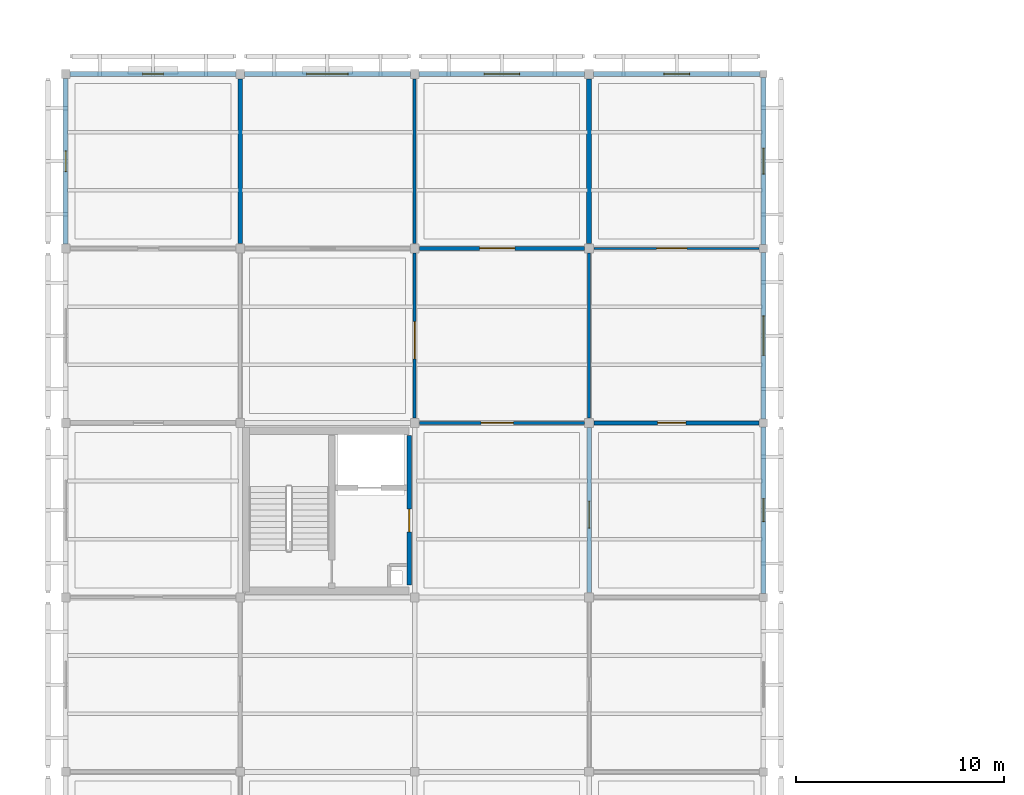
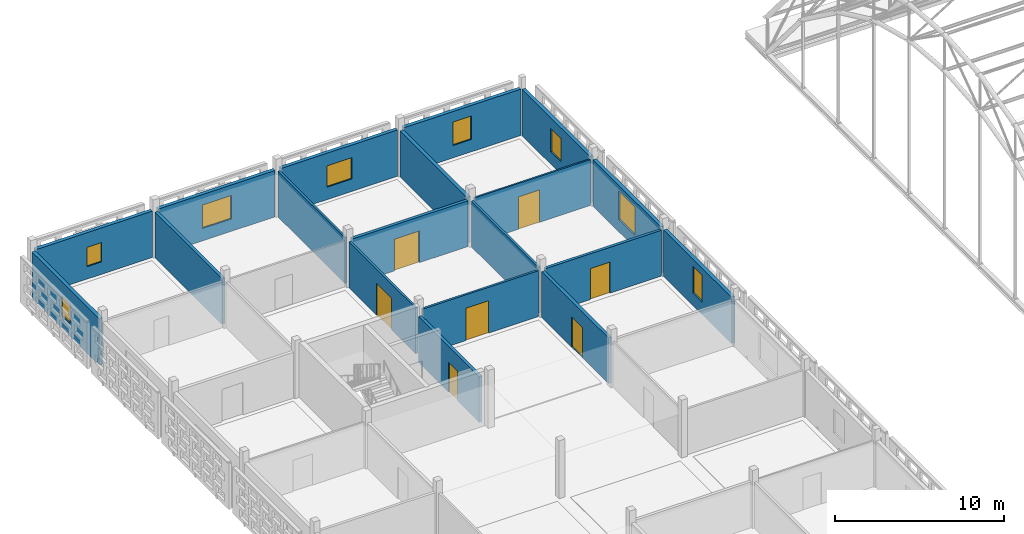
# One storey, part 73 of 103: 19 walls, 8 windows, 7 doors, 15 openings.
"""IFC4 building model written with IfcOpenShell, lengths in metres."""

from ifc_helpers import new_model, si_unit, direction, frame, frame_2d, origin, place, context, subcontext, project, spatial, rectangle, extrude, material, layer, layer_set, type_object, element, fill, save


model = new_model("IFC4")

# Units and contexts
model_context = context("Model", 3, precision=1e-05, world=origin(), true_north=direction((0.0, 1.0)))
body_context = subcontext(model_context, "Body", "Model", "MODEL_VIEW")
ifc_project = project(units=[si_unit("LENGTHUNIT", "METRE"), si_unit("AREAUNIT", "SQUARE_METRE"), si_unit("VOLUMEUNIT", "CUBIC_METRE"), si_unit("PLANEANGLEUNIT", "RADIAN"), si_unit("MASSUNIT", "GRAM", prefix="KILO")], contexts=[model_context])

# Site, building, storey
site_placement = place(None, origin())
site = spatial("IfcSite", under=ifc_project, at=site_placement, CompositionType="ELEMENT")
building_placement = place(site_placement, origin())
building = spatial("IfcBuilding", under=site, at=building_placement, Name="Varnapada Polytechnic", CompositionType="ELEMENT")
storey_placement = place(building_placement, frame((0.0, 0.0, 18.0)))
storey = spatial("IfcBuildingStorey", under=building, at=storey_placement, Name="L04", CompositionType="ELEMENT", Elevation=18.0)

# Wall, opening, door
ifc_material_1 = material(Name="Autoclaved Aerated Concrete Block AAC-600", Category="concrete")
ifc_layer_1 = layer(ifc_material_1, 0.199951171875)
ifc_layer_set_1 = layer_set([ifc_layer_1], Name="Autoclaved Aerated Concrete Block AAC-600")
wall_type_1 = type_object("IfcWallType", Name="Interior Wall IW-01", PredefinedType="PARTITIONING", material=ifc_layer_set_1)
wall_1_placement = place(storey_placement, frame((16.5400390625, 108.60009765625, 0.0), z_axis=(0.0, 0.0, 1.0), x_axis=(0.0, -1.0, 0.0)))
wall_1 = element("IfcWall", 1, at=wall_1_placement, inside=storey, type_object=wall_type_1, Name="L04 C1 firefighting lobby east wall", PredefinedType="PARTITIONING", context=body_context, shape_type="SweptSolid", body=[
    extrude(rectangle(XDim=7.2001953125, YDim=0.199951171875, at=frame_2d((3.60009765625, 0.0))), origin(), (0.0, 0.0, 1.0), 3.320068359375),
])
opening_1_placement = place(wall_1_placement, frame((3.550048828125, 0.0, 0.0)))
opening_1 = element("IfcOpeningElement", 2, at=opening_1_placement, cuts=wall_1, Name="Opening D-1261", PredefinedType="OPENING", context=body_context, shape_type="SweptSolid", body=[
    extrude(rectangle(XDim=1.10009765625, YDim=2.14990234375, at=frame_2d((0.550048828125, 1.074951171875))), frame((0.0, 0.10986328125, 0.0), z_axis=(0.0, -1.0, 0.0), x_axis=(1.0, 0.0, 0.0)), (0.0, 0.0, 1.0), 0.219970703125),
])
ifc_material_2 = material(Name="Galvanized Steel Z275", Category="steel")
door_type_1 = type_object("IfcDoorType", Name="Interior Door ID-01", OperationType="NOTDEFINED", PredefinedType="DOOR", material=ifc_material_2)
door_1_placement = place(opening_1_placement, frame((1.10009765625, 0.0, 0.0), z_axis=(0.0, 0.0, 1.0), x_axis=(-1.0, 0.0, 0.0)))
door_1 = element("IfcDoor", 3, at=door_1_placement, inside=storey, type_object=door_type_1, Name="L04 C1 lobby fire door D-1261", OperationType="SINGLE_SWING_LEFT", OverallHeight=2.14990234375, OverallWidth=1.10009765625, PredefinedType="DOOR", context=body_context, shape_type="SweptSolid", body=[
    extrude(rectangle(XDim=1.10009765625, YDim=2.14990234375, at=frame_2d((0.550048828125, 1.074951171875))), frame((0.0, 0.02490234375, 0.0), z_axis=(0.0, -1.0, 0.0), x_axis=(1.0, 0.0, 0.0)), (0.0, 0.0, 1.0), 0.050048828125),
])
fill(opening_1, door_1)

ifc_layer_2 = layer(ifc_material_1, 0.14990234375)
ifc_layer_set_2 = layer_set([ifc_layer_2], Name="Autoclaved Aerated Concrete Block AAC-600")
wall_type_2 = type_object("IfcWallType", Name="Interior Wall IW-02", PredefinedType="PARTITIONING", material=ifc_layer_set_2)
wall_2_placement = place(storey_placement, frame((16.800048828125, 109.429931640625, 0.0), z_axis=(0.0, 0.0, 1.0), x_axis=(0.0, 1.0, 0.0)))
wall_2 = element("IfcWall", 4, at=wall_2_placement, inside=storey, type_object=wall_type_2, Name="L04 interior partition IW-L04-01-13-V", PredefinedType="PARTITIONING", context=body_context, shape_type="SweptSolid", body=[
    extrude(rectangle(XDim=7.940185546875, YDim=0.14990234375, at=frame_2d((3.97021484375, 0.0))), origin(), (0.0, 0.0, 1.0), 3.320068359375),
])
opening_2_placement = place(wall_2_placement, frame((2.85009765625, 0.0, 0.0)))
opening_2 = element("IfcOpeningElement", 5, at=opening_2_placement, cuts=wall_2, Name="Opening D-1277", PredefinedType="OPENING", context=body_context, shape_type="SweptSolid", body=[
    extrude(rectangle(XDim=1.800048828125, YDim=2.300048828125, at=frame_2d((0.89990234375, 1.14990234375))), frame((0.0, 0.0849609375, 0.0), z_axis=(0.0, -1.0, 0.0), x_axis=(1.0, 0.0, 0.0)), (0.0, 0.0, 1.0), 0.169921875),
])
ifc_material_3 = material(Name="Acoustic Double Timber Leaf", Category="wood")
door_type_2 = type_object("IfcDoorType", Name="Interior Door ID-04", OperationType="NOTDEFINED", PredefinedType="DOOR", material=ifc_material_3)
door_2_placement = place(opening_2_placement, frame((1.800048828125, 0.0, 0.0), z_axis=(0.0, 0.0, 1.0), x_axis=(-1.0, 0.0, 0.0)))
door_2 = element("IfcDoor", 6, at=door_2_placement, inside=storey, type_object=door_type_2, Name="L04 interior room door D-1277", OperationType="SINGLE_SWING_RIGHT", OverallHeight=2.300048828125, OverallWidth=1.800048828125, PredefinedType="DOOR", context=body_context, shape_type="SweptSolid", body=[
    extrude(rectangle(XDim=1.800048828125, YDim=2.300048828125, at=frame_2d((0.89990234375, 1.14990234375))), frame((0.0, 0.02490234375, 0.0), z_axis=(0.0, -1.0, 0.0), x_axis=(1.0, 0.0, 0.0)), (0.0, 0.0, 1.0), 0.050048828125),
])
fill(opening_2, door_2)

# Wall
ifc_material_4 = material(Name="Moisture-Resistant Cement Board Partition")
ifc_layer_3 = layer(ifc_material_4, 0.139892578125)
ifc_layer_set_3 = layer_set([ifc_layer_3], Name="Moisture-Resistant Cement Board Partition")
wall_type_3 = type_object("IfcWallType", Name="Interior Wall IW-04", PredefinedType="PARTITIONING", material=ifc_layer_set_3)
wall_3_placement = place(storey_placement, frame((16.800048828125, 117.830078125, 0.0), z_axis=(0.0, 0.0, 1.0), x_axis=(0.0, 1.0, 0.0)))
element("IfcWall", 7, at=wall_3_placement, inside=storey, type_object=wall_type_3, Name="L04 interior partition IW-L04-01-14-V", PredefinedType="PARTITIONING", context=body_context, shape_type="SweptSolid", body=[
    extrude(rectangle(XDim=7.93994140625, YDim=0.139892578125, at=frame_2d((3.969970703125, 0.0))), origin(), (0.0, 0.0, 1.0), 3.320068359375),
])

# Wall, opening, door
ifc_material_5 = material(Name="Insulated Masonry Plant Room Wall", Category="masonry")
ifc_layer_4 = layer(ifc_material_5, 0.18994140625)
ifc_layer_set_4 = layer_set([ifc_layer_4], Name="Insulated Masonry Plant Room Wall")
wall_type_4 = type_object("IfcWallType", Name="Interior Wall IW-11", PredefinedType="PARTITIONING", material=ifc_layer_set_4)
wall_4_placement = place(storey_placement, frame((25.429931640625, 109.199951171875, 0.0), z_axis=(0.0, 0.0, 1.0), x_axis=(1.0, 0.0, 0.0)))
wall_4 = element("IfcWall", 8, at=wall_4_placement, inside=storey, type_object=wall_type_4, Name="L04 interior partition IW-L04-03-12-H", PredefinedType="PARTITIONING", context=body_context, shape_type="SweptSolid", body=[
    extrude(rectangle(XDim=7.9599609375, YDim=0.18994140625, at=frame_2d((3.97998046875, 0.0))), origin(), (0.0, 0.0, 1.0), 3.320068359375),
])
opening_3_placement = place(wall_4_placement, frame((3.074951171875, 0.0, 0.0)))
opening_3 = element("IfcOpeningElement", 9, at=opening_3_placement, cuts=wall_4, Name="Opening D-1290", PredefinedType="OPENING", context=body_context, shape_type="SweptSolid", body=[
    extrude(rectangle(XDim=1.35009765625, YDim=2.25, at=frame_2d((0.675048828125, 1.125))), frame((0.0, 0.10498046875, 0.0), z_axis=(0.0, -1.0, 0.0), x_axis=(1.0, 0.0, 0.0)), (0.0, 0.0, 1.0), 0.2099609375),
])
ifc_material_6 = material(Name="Powder-Coated Aluminium 6063-T6", Category="aluminium")
door_type_3 = type_object("IfcDoorType", Name="Interior Door ID-17", OperationType="NOTDEFINED", PredefinedType="DOOR", material=ifc_material_6)
door_3_placement = place(opening_3_placement, origin())
door_3 = element("IfcDoor", 10, at=door_3_placement, inside=storey, type_object=door_type_3, Name="L04 interior room door D-1290", OperationType="SINGLE_SWING_LEFT", OverallHeight=2.25, OverallWidth=1.35009765625, PredefinedType="DOOR", context=body_context, shape_type="SweptSolid", body=[
    extrude(rectangle(XDim=1.35009765625, YDim=2.25, at=frame_2d((0.675048828125, 1.125))), frame((0.0, 0.02490234375, 0.0), z_axis=(0.0, -1.0, 0.0), x_axis=(1.0, 0.0, 0.0)), (0.0, 0.0, 1.0), 0.050048828125),
])
fill(opening_3, door_3)

ifc_material_7 = material(Name="Timber-Stud Studio Critique Partition", Category="wood")
ifc_layer_5 = layer(ifc_material_7, 0.114990234375)
ifc_layer_set_5 = layer_set([ifc_layer_5], Name="Timber-Stud Studio Critique Partition")
wall_type_5 = type_object("IfcWallType", Name="Interior Wall IW-12", PredefinedType="PARTITIONING", material=ifc_layer_set_5)
wall_5_placement = place(storey_placement, frame((25.429931640625, 117.60009765625, 0.0), z_axis=(0.0, 0.0, 1.0), x_axis=(1.0, 0.0, 0.0)))
wall_5 = element("IfcWall", 11, at=wall_5_placement, inside=storey, type_object=wall_type_5, Name="L04 interior partition IW-L04-03-13-H", PredefinedType="PARTITIONING", context=body_context, shape_type="SweptSolid", body=[
    extrude(rectangle(XDim=7.9599609375, YDim=0.114990234375, at=frame_2d((3.97998046875, 0.0))), origin(), (0.0, 0.0, 1.0), 3.320068359375),
])
opening_4_placement = place(wall_5_placement, frame((3.02490234375, 0.0, 0.0)))
opening_4 = element("IfcOpeningElement", 12, at=opening_4_placement, cuts=wall_5, Name="Opening D-1291", PredefinedType="OPENING", context=body_context, shape_type="SweptSolid", body=[
    extrude(rectangle(XDim=1.449951171875, YDim=2.35009765625, at=frame_2d((0.72509765625, 1.175048828125))), frame((0.0, 0.0673828125, 0.0), z_axis=(0.0, -1.0, 0.0), x_axis=(1.0, 0.0, 0.0)), (0.0, 0.0, 1.0), 0.135009765625),
])
door_type_4 = type_object("IfcDoorType", Name="Interior Door ID-18", OperationType="NOTDEFINED", PredefinedType="DOOR", material=ifc_material_2)
door_4_placement = place(opening_4_placement, origin())
door_4 = element("IfcDoor", 13, at=door_4_placement, inside=storey, type_object=door_type_4, Name="L04 interior room door D-1291", OperationType="SINGLE_SWING_RIGHT", OverallHeight=2.35009765625, OverallWidth=1.449951171875, PredefinedType="DOOR", context=body_context, shape_type="SweptSolid", body=[
    extrude(rectangle(XDim=1.449951171875, YDim=2.35009765625, at=frame_2d((0.72509765625, 1.175048828125))), frame((0.0, 0.02490234375, 0.0), z_axis=(0.0, -1.0, 0.0), x_axis=(1.0, 0.0, 0.0)), (0.0, 0.0, 1.0), 0.050048828125),
])
fill(opening_4, door_4)

ifc_material_8 = material(Name="Heavy Acoustic Auditorium Baffle Wall")
ifc_layer_6 = layer(ifc_material_8, 0.219970703125)
ifc_layer_set_6 = layer_set([ifc_layer_6], Name="Heavy Acoustic Auditorium Baffle Wall")
wall_type_6 = type_object("IfcWallType", Name="Interior Wall IW-13", PredefinedType="PARTITIONING", material=ifc_layer_set_6)
wall_6_placement = place(storey_placement, frame((25.199951171875, 101.030029296875, 0.0), z_axis=(0.0, 0.0, 1.0), x_axis=(0.0, 1.0, 0.0)))
wall_6 = element("IfcWall", 14, at=wall_6_placement, inside=storey, type_object=wall_type_6, Name="L04 interior partition IW-L04-02-12-V", PredefinedType="PARTITIONING", context=body_context, shape_type="SweptSolid", body=[
    extrude(rectangle(XDim=7.93994140625, YDim=0.219970703125, at=frame_2d((3.969970703125, 0.0))), origin(), (0.0, 0.0, 1.0), 3.320068359375),
])
opening_5_placement = place(wall_6_placement, frame((3.10009765625, 0.0, 0.0)))
opening_5 = element("IfcOpeningElement", 15, at=opening_5_placement, cuts=wall_6, Name="Opening D-1284", PredefinedType="OPENING", context=body_context, shape_type="SweptSolid", body=[
    extrude(rectangle(XDim=1.300048828125, YDim=2.199951171875, at=frame_2d((0.64990234375, 1.10009765625))), frame((0.0, 0.119873046875, 0.0), z_axis=(0.0, -1.0, 0.0), x_axis=(1.0, 0.0, 0.0)), (0.0, 0.0, 1.0), 0.239990234375),
])
ifc_material_9 = material(Name="Acoustic Laminated Timber Leaf", Category="wood")
door_type_5 = type_object("IfcDoorType", Name="Interior Door ID-11", OperationType="NOTDEFINED", PredefinedType="DOOR", material=ifc_material_9)
door_5_placement = place(opening_5_placement, origin())
door_5 = element("IfcDoor", 16, at=door_5_placement, inside=storey, type_object=door_type_5, Name="L04 interior room door D-1284", OperationType="SINGLE_SWING_LEFT", OverallHeight=2.199951171875, OverallWidth=1.300048828125, PredefinedType="DOOR", context=body_context, shape_type="SweptSolid", body=[
    extrude(rectangle(XDim=1.300048828125, YDim=2.199951171875, at=frame_2d((0.64990234375, 1.10009765625))), frame((0.0, 0.02490234375, 0.0), z_axis=(0.0, -1.0, 0.0), x_axis=(1.0, 0.0, 0.0)), (0.0, 0.0, 1.0), 0.050048828125),
])
fill(opening_5, door_5)

ifc_material_10 = material(Name="Ceramic-Tiled Wet Laboratory Wall")
ifc_layer_7 = layer(ifc_material_10, 0.14501953125)
ifc_layer_set_7 = layer_set([ifc_layer_7], Name="Ceramic-Tiled Wet Laboratory Wall")
wall_type_7 = type_object("IfcWallType", Name="Interior Wall IW-14", PredefinedType="PARTITIONING", material=ifc_layer_set_7)
wall_7_placement = place(storey_placement, frame((17.030029296875, 109.199951171875, 0.0), z_axis=(0.0, 0.0, 1.0), x_axis=(1.0, 0.0, 0.0)))
wall_7 = element("IfcWall", 17, at=wall_7_placement, inside=storey, type_object=wall_type_7, Name="L04 interior partition IW-L04-02-12-H", PredefinedType="PARTITIONING", context=body_context, shape_type="SweptSolid", body=[
    extrude(rectangle(XDim=7.93994140625, YDim=0.14501953125, at=frame_2d((3.969970703125, 0.0))), origin(), (0.0, 0.0, 1.0), 3.320068359375),
])
opening_6_placement = place(wall_7_placement, frame((2.97509765625, 0.0, 0.0)))
opening_6 = element("IfcOpeningElement", 18, at=opening_6_placement, cuts=wall_7, Name="Opening D-1285", PredefinedType="OPENING", context=body_context, shape_type="SweptSolid", body=[
    extrude(rectangle(XDim=1.550048828125, YDim=2.35009765625, at=frame_2d((0.77490234375, 1.175048828125))), frame((0.0, 0.08251953125, 0.0), z_axis=(0.0, -1.0, 0.0), x_axis=(1.0, 0.0, 0.0)), (0.0, 0.0, 1.0), 0.1650390625),
])
door_type_6 = type_object("IfcDoorType", Name="Interior Door ID-12", OperationType="NOTDEFINED", PredefinedType="DOOR", material=ifc_material_2)
door_6_placement = place(opening_6_placement, origin())
door_6 = element("IfcDoor", 19, at=door_6_placement, inside=storey, type_object=door_type_6, Name="L04 interior room door D-1285", OperationType="SINGLE_SWING_RIGHT", OverallHeight=2.35009765625, OverallWidth=1.550048828125, PredefinedType="DOOR", context=body_context, shape_type="SweptSolid", body=[
    extrude(rectangle(XDim=1.550048828125, YDim=2.35009765625, at=frame_2d((0.77490234375, 1.175048828125))), frame((0.0, 0.02490234375, 0.0), z_axis=(0.0, -1.0, 0.0), x_axis=(1.0, 0.0, 0.0)), (0.0, 0.0, 1.0), 0.050048828125),
])
fill(opening_6, door_6)

# Walls
ifc_material_11 = material(Name="Perforated Timber-Lined Seminar Wall", Category="wood")
ifc_layer_8 = layer(ifc_material_11, 0.155029296875)
ifc_layer_set_8 = layer_set([ifc_layer_8], Name="Perforated Timber-Lined Seminar Wall")
wall_type_8 = type_object("IfcWallType", Name="Interior Wall IW-15", PredefinedType="PARTITIONING", material=ifc_layer_set_8)
wall_8_placement = place(storey_placement, frame((25.199951171875, 109.429931640625, 0.0), z_axis=(0.0, 0.0, 1.0), x_axis=(0.0, 1.0, 0.0)))
element("IfcWall", 20, at=wall_8_placement, inside=storey, type_object=wall_type_8, Name="L04 interior partition IW-L04-02-13-V", PredefinedType="PARTITIONING", context=body_context, shape_type="SweptSolid", body=[
    extrude(rectangle(XDim=7.940185546875, YDim=0.155029296875, at=frame_2d((3.97021484375, 0.0))), origin(), (0.0, 0.0, 1.0), 3.320068359375),
])
ifc_material_12 = material(Name="Heavy Masonry Workshop Partition", Category="masonry")
ifc_layer_9 = layer(ifc_material_12, 0.2099609375)
ifc_layer_set_9 = layer_set([ifc_layer_9], Name="Heavy Masonry Workshop Partition")
wall_type_9 = type_object("IfcWallType", Name="Interior Wall IW-16", PredefinedType="PARTITIONING", material=ifc_layer_set_9)
wall_9_placement = place(storey_placement, frame((8.39990234375, 117.830078125, 0.0), z_axis=(0.0, 0.0, 1.0), x_axis=(0.0, 1.0, 0.0)))
element("IfcWall", 21, at=wall_9_placement, inside=storey, type_object=wall_type_9, Name="L04 interior partition IW-L04-00-14-V", PredefinedType="PARTITIONING", context=body_context, shape_type="SweptSolid", body=[
    extrude(rectangle(XDim=7.93994140625, YDim=0.2099609375, at=frame_2d((3.969970703125, 0.0))), origin(), (0.0, 0.0, 1.0), 3.320068359375),
])

# Wall, opening, door
wall_10_placement = place(storey_placement, frame((17.030029296875, 117.60009765625, 0.0), z_axis=(0.0, 0.0, 1.0), x_axis=(1.0, 0.0, 0.0)))
wall_10 = element("IfcWall", 22, at=wall_10_placement, inside=storey, type_object=wall_type_9, Name="L04 interior partition IW-L04-02-13-H", PredefinedType="PARTITIONING", context=body_context, shape_type="SweptSolid", body=[
    extrude(rectangle(XDim=7.93994140625, YDim=0.2099609375, at=frame_2d((3.969970703125, 0.0))), origin(), (0.0, 0.0, 1.0), 3.320068359375),
])
opening_7_placement = place(wall_10_placement, frame((2.89990234375, 0.0, 0.0)))
opening_7 = element("IfcOpeningElement", 23, at=opening_7_placement, cuts=wall_10, Name="Opening D-1286", PredefinedType="OPENING", context=body_context, shape_type="SweptSolid", body=[
    extrude(rectangle(XDim=1.699951171875, YDim=2.300048828125, at=frame_2d((0.85009765625, 1.14990234375))), frame((0.0, 0.114990234375, 0.0), z_axis=(0.0, -1.0, 0.0), x_axis=(1.0, 0.0, 0.0)), (0.0, 0.0, 1.0), 0.22998046875),
])
door_type_7 = type_object("IfcDoorType", Name="Interior Door ID-13", OperationType="NOTDEFINED", PredefinedType="DOOR", material=ifc_material_3)
door_7_placement = place(opening_7_placement, frame((1.699951171875, 0.0, 0.0), z_axis=(0.0, 0.0, 1.0), x_axis=(-1.0, 0.0, 0.0)))
door_7 = element("IfcDoor", 24, at=door_7_placement, inside=storey, type_object=door_type_7, Name="L04 interior room door D-1286", OperationType="SINGLE_SWING_LEFT", OverallHeight=2.300048828125, OverallWidth=1.699951171875, PredefinedType="DOOR", context=body_context, shape_type="SweptSolid", body=[
    extrude(rectangle(XDim=1.699951171875, YDim=2.300048828125, at=frame_2d((0.85009765625, 1.14990234375))), frame((0.0, 0.02490234375, 0.0), z_axis=(0.0, -1.0, 0.0), x_axis=(1.0, 0.0, 0.0)), (0.0, 0.0, 1.0), 0.050048828125),
])
fill(opening_7, door_7)

# Wall
ifc_material_13 = material(Name="Double-Leaf Acoustic Lecture Wall")
ifc_layer_10 = layer(ifc_material_13, 0.235107421875)
ifc_layer_set_10 = layer_set([ifc_layer_10], Name="Double-Leaf Acoustic Lecture Wall")
wall_type_10 = type_object("IfcWallType", Name="Interior Wall IW-17", PredefinedType="PARTITIONING", material=ifc_layer_set_10)
wall_11_placement = place(storey_placement, frame((25.199951171875, 117.830078125, 0.0), z_axis=(0.0, 0.0, 1.0), x_axis=(0.0, 1.0, 0.0)))
element("IfcWall", 25, at=wall_11_placement, inside=storey, type_object=wall_type_10, Name="L04 interior partition IW-L04-02-14-V", PredefinedType="PARTITIONING", context=body_context, shape_type="SweptSolid", body=[
    extrude(rectangle(XDim=7.93994140625, YDim=0.235107421875, at=frame_2d((3.969970703125, 0.0))), origin(), (0.0, 0.0, 1.0), 3.320068359375),
])

# Wall, opening, window
ifc_material_14 = material(Name="Precast concrete C40/50", Category="concrete")
ifc_layer_11 = layer(ifc_material_14, 0.239990234375)
ifc_layer_set_11 = layer_set([ifc_layer_11], Name="Precast concrete C40/50")
wall_type_11 = type_object("IfcWallType", Name="Wall EW-06", PredefinedType="SOLIDWALL", material=ifc_layer_set_11)
wall_12_placement = place(storey_placement, frame((0.2099609375, 126.0, 0.0), z_axis=(0.0, 0.0, 1.0), x_axis=(1.0, 0.0, 0.0)))
wall_12 = element("IfcWall", 26, at=wall_12_placement, inside=storey, type_object=wall_type_11, Name="L04 exterior wall EW-06 (10)", PredefinedType="SOLIDWALL", context=body_context, shape_type="SweptSolid", body=[
    extrude(rectangle(XDim=7.97998046875, YDim=0.239990234375, at=frame_2d((3.989990234375, 0.0))), origin(), (0.0, 0.0, 1.0), 3.360107421875),
])
opening_8_placement = place(wall_12_placement, frame((3.489990234375, 0.0, 0.89990234375)))
opening_8 = element("IfcOpeningElement", 27, at=opening_8_placement, cuts=wall_12, Name="Opening WN-06", PredefinedType="OPENING", context=body_context, shape_type="SweptSolid", body=[
    extrude(rectangle(XDim=1.0, YDim=1.39990234375, at=frame_2d((0.5, 0.699951171875))), frame((0.0, 0.1298828125, 0.0), z_axis=(0.0, -1.0, 0.0), x_axis=(1.0, 0.0, 0.0)), (0.0, 0.0, 1.0), 0.260009765625),
])
ifc_material_15 = material(Name="Double low-E laminated glass", Category="glass")
window_type_1 = type_object("IfcWindowType", Name="Window WN-06", PartitioningType="SINGLE_PANEL", PredefinedType="WINDOW", material=ifc_material_15)
window_1_placement = place(opening_8_placement, origin())
window_1 = element("IfcWindow", 28, at=window_1_placement, inside=storey, type_object=window_type_1, Name="L04 window WN-06 (187)", OverallHeight=1.39990234375, OverallWidth=1.0, PartitioningType="SINGLE_PANEL", PredefinedType="WINDOW", context=body_context, shape_type="SweptSolid", body=[
    extrude(rectangle(XDim=1.0, YDim=1.39990234375, at=frame_2d((0.5, 0.699951171875))), frame((0.0, 0.030029296875, 0.0), z_axis=(0.0, -1.0, 0.0), x_axis=(1.0, 0.0, 0.0)), (0.0, 0.0, 1.0), 0.06005859375),
])
fill(opening_8, window_1)

wall_13_placement = place(storey_placement, frame((0.0, 117.81005859375, 0.0), z_axis=(0.0, 0.0, 1.0), x_axis=(0.0, 1.0, 0.0)))
wall_13 = element("IfcWall", 29, at=wall_13_placement, inside=storey, type_object=wall_type_11, Name="L04 exterior wall EW-06 (11)", PredefinedType="SOLIDWALL", context=body_context, shape_type="SweptSolid", body=[
    extrude(rectangle(XDim=7.97998046875, YDim=0.239990234375, at=frame_2d((3.989990234375, 0.0))), origin(), (0.0, 0.0, 1.0), 3.360107421875),
])
opening_9_placement = place(wall_13_placement, frame((3.489990234375, 0.0, 0.89990234375)))
opening_9 = element("IfcOpeningElement", 30, at=opening_9_placement, cuts=wall_13, Name="Opening WN-06", PredefinedType="OPENING", context=body_context, shape_type="SweptSolid", body=[
    extrude(rectangle(XDim=1.0, YDim=1.39990234375, at=frame_2d((0.5, 0.699951171875))), frame((0.0, 0.1298828125, 0.0), z_axis=(0.0, -1.0, 0.0), x_axis=(1.0, 0.0, 0.0)), (0.0, 0.0, 1.0), 0.260009765625),
])
window_2_placement = place(opening_9_placement, origin())
window_2 = element("IfcWindow", 31, at=window_2_placement, inside=storey, type_object=window_type_1, Name="L04 window WN-06 (188)", OverallHeight=1.39990234375, OverallWidth=1.0, PartitioningType="SINGLE_PANEL", PredefinedType="WINDOW", context=body_context, shape_type="SweptSolid", body=[
    extrude(rectangle(XDim=1.0, YDim=1.39990234375, at=frame_2d((0.5, 0.699951171875))), frame((0.0, 0.030029296875, 0.0), z_axis=(0.0, -1.0, 0.0), x_axis=(1.0, 0.0, 0.0)), (0.0, 0.0, 1.0), 0.06005859375),
])
fill(opening_9, window_2)

wall_14_placement = place(storey_placement, frame((8.610107421875, 126.0, 0.0), z_axis=(0.0, 0.0, 1.0), x_axis=(1.0, 0.0, 0.0)))
wall_14 = element("IfcWall", 32, at=wall_14_placement, inside=storey, type_object=wall_type_11, Name="L04 exterior wall EW-06 (13)", PredefinedType="SOLIDWALL", context=body_context, shape_type="SweptSolid", body=[
    extrude(rectangle(XDim=7.97998046875, YDim=0.239990234375, at=frame_2d((3.989990234375, 0.0))), origin(), (0.0, 0.0, 1.0), 3.360107421875),
])
opening_10_placement = place(wall_14_placement, frame((2.989990234375, 0.0, 0.89990234375)))
opening_10 = element("IfcOpeningElement", 33, at=opening_10_placement, cuts=wall_14, Name="Opening WN-11", PredefinedType="OPENING", context=body_context, shape_type="SweptSolid", body=[
    extrude(rectangle(XDim=2.0, YDim=1.699951171875, at=frame_2d((1.0, 0.85009765625))), frame((0.0, 0.1298828125, 0.0), z_axis=(0.0, -1.0, 0.0), x_axis=(1.0, 0.0, 0.0)), (0.0, 0.0, 1.0), 0.260009765625),
])
window_type_2 = type_object("IfcWindowType", Name="Window WN-11", PartitioningType="SINGLE_PANEL", PredefinedType="WINDOW", material=ifc_material_15)
window_3_placement = place(opening_10_placement, origin())
window_3 = element("IfcWindow", 34, at=window_3_placement, inside=storey, type_object=window_type_2, Name="L04 window WN-11 (190)", OverallHeight=1.699951171875, OverallWidth=2.0, PartitioningType="SINGLE_PANEL", PredefinedType="WINDOW", context=body_context, shape_type="SweptSolid", body=[
    extrude(rectangle(XDim=2.0, YDim=1.699951171875, at=frame_2d((1.0, 0.85009765625))), frame((0.0, 0.030029296875, 0.0), z_axis=(0.0, -1.0, 0.0), x_axis=(1.0, 0.0, 0.0)), (0.0, 0.0, 1.0), 0.06005859375),
])
fill(opening_10, window_3)

wall_15_placement = place(storey_placement, frame((17.010009765625, 126.0, 0.0), z_axis=(0.0, 0.0, 1.0), x_axis=(1.0, 0.0, 0.0)))
wall_15 = element("IfcWall", 35, at=wall_15_placement, inside=storey, type_object=wall_type_11, Name="L04 exterior wall EW-06 (20)", PredefinedType="SOLIDWALL", context=body_context, shape_type="SweptSolid", body=[
    extrude(rectangle(XDim=7.97998046875, YDim=0.239990234375, at=frame_2d((3.989990234375, 0.0))), origin(), (0.0, 0.0, 1.0), 3.360107421875),
])
opening_11_placement = place(wall_15_placement, frame((3.139892578125, 0.0, 0.89990234375)))
opening_11 = element("IfcOpeningElement", 36, at=opening_11_placement, cuts=wall_15, Name="Opening WN-16", PredefinedType="OPENING", context=body_context, shape_type="SweptSolid", body=[
    extrude(rectangle(XDim=1.699951171875, YDim=1.550048828125, at=frame_2d((0.85009765625, 0.77490234375))), frame((0.0, 0.1298828125, 0.0), z_axis=(0.0, -1.0, 0.0), x_axis=(1.0, 0.0, 0.0)), (0.0, 0.0, 1.0), 0.260009765625),
])
window_type_3 = type_object("IfcWindowType", Name="Window WN-16", PartitioningType="SINGLE_PANEL", PredefinedType="WINDOW", material=ifc_material_15)
window_4_placement = place(opening_11_placement, origin())
window_4 = element("IfcWindow", 37, at=window_4_placement, inside=storey, type_object=window_type_3, Name="L04 window WN-16 (194)", OverallHeight=1.550048828125, OverallWidth=1.699951171875, PartitioningType="SINGLE_PANEL", PredefinedType="WINDOW", context=body_context, shape_type="SweptSolid", body=[
    extrude(rectangle(XDim=1.699951171875, YDim=1.550048828125, at=frame_2d((0.85009765625, 0.77490234375))), frame((0.0, 0.030029296875, 0.0), z_axis=(0.0, -1.0, 0.0), x_axis=(1.0, 0.0, 0.0)), (0.0, 0.0, 1.0), 0.06005859375),
])
fill(opening_11, window_4)

wall_16_placement = place(storey_placement, frame((33.60009765625, 109.010009765625, 0.0), z_axis=(0.0, 0.0, 1.0), x_axis=(0.0, -1.0, 0.0)))
wall_16 = element("IfcWall", 38, at=wall_16_placement, inside=storey, type_object=wall_type_11, Name="L04 exterior wall EW-06 (30)", PredefinedType="SOLIDWALL", context=body_context, shape_type="SweptSolid", body=[
    extrude(rectangle(XDim=8.02001953125, YDim=0.239990234375, at=frame_2d((4.010009765625, 0.0))), origin(), (0.0, 0.0, 1.0), 3.360107421875),
])
opening_12_placement = place(wall_16_placement, frame((3.4599609375, 0.0, 0.89990234375)))
opening_12 = element("IfcOpeningElement", 39, at=opening_12_placement, cuts=wall_16, Name="Opening WN-15", PredefinedType="OPENING", context=body_context, shape_type="SweptSolid", body=[
    extrude(rectangle(XDim=1.10009765625, YDim=1.949951171875, at=frame_2d((0.550048828125, 0.97509765625))), frame((0.0, 0.1298828125, 0.0), z_axis=(0.0, -1.0, 0.0), x_axis=(1.0, 0.0, 0.0)), (0.0, 0.0, 1.0), 0.260009765625),
])
window_type_4 = type_object("IfcWindowType", Name="Window WN-15", PartitioningType="SINGLE_PANEL", PredefinedType="WINDOW", material=ifc_material_15)
window_5_placement = place(opening_12_placement, origin())
window_5 = element("IfcWindow", 40, at=window_5_placement, inside=storey, type_object=window_type_4, Name="L04 window WN-15 (204)", OverallHeight=1.949951171875, OverallWidth=1.10009765625, PartitioningType="SINGLE_PANEL", PredefinedType="WINDOW", context=body_context, shape_type="SweptSolid", body=[
    extrude(rectangle(XDim=1.10009765625, YDim=1.949951171875, at=frame_2d((0.550048828125, 0.97509765625))), frame((0.0, 0.030029296875, 0.0), z_axis=(0.0, -1.0, 0.0), x_axis=(1.0, 0.0, 0.0)), (0.0, 0.0, 1.0), 0.06005859375),
])
fill(opening_12, window_5)

wall_17_placement = place(storey_placement, frame((33.60009765625, 117.409912109375, 0.0), z_axis=(0.0, 0.0, 1.0), x_axis=(0.0, -1.0, 0.0)))
wall_17 = element("IfcWall", 41, at=wall_17_placement, inside=storey, type_object=wall_type_11, Name="L04 exterior wall EW-06 (31)", PredefinedType="SOLIDWALL", context=body_context, shape_type="SweptSolid", body=[
    extrude(rectangle(XDim=8.02001953125, YDim=0.239990234375, at=frame_2d((4.010009765625, 0.0))), origin(), (0.0, 0.0, 1.0), 3.360107421875),
])
opening_13_placement = place(wall_17_placement, frame((3.06005859375, 0.0, 0.89990234375)))
opening_13 = element("IfcOpeningElement", 42, at=opening_13_placement, cuts=wall_17, Name="Opening WN-18", PredefinedType="OPENING", context=body_context, shape_type="SweptSolid", body=[
    extrude(rectangle(XDim=1.89990234375, YDim=2.050048828125, at=frame_2d((0.949951171875, 1.02490234375))), frame((0.0, 0.1298828125, 0.0), z_axis=(0.0, -1.0, 0.0), x_axis=(1.0, 0.0, 0.0)), (0.0, 0.0, 1.0), 0.260009765625),
])
window_type_5 = type_object("IfcWindowType", Name="Window WN-18", PartitioningType="SINGLE_PANEL", PredefinedType="WINDOW", material=ifc_material_15)
window_6_placement = place(opening_13_placement, origin())
window_6 = element("IfcWindow", 43, at=window_6_placement, inside=storey, type_object=window_type_5, Name="L04 window WN-18 (205)", OverallHeight=2.050048828125, OverallWidth=1.89990234375, PartitioningType="SINGLE_PANEL", PredefinedType="WINDOW", context=body_context, shape_type="SweptSolid", body=[
    extrude(rectangle(XDim=1.89990234375, YDim=2.050048828125, at=frame_2d((0.949951171875, 1.02490234375))), frame((0.0, 0.030029296875, 0.0), z_axis=(0.0, -1.0, 0.0), x_axis=(1.0, 0.0, 0.0)), (0.0, 0.0, 1.0), 0.06005859375),
])
fill(opening_13, window_6)

wall_18_placement = place(storey_placement, frame((25.409912109375, 126.0, 0.0), z_axis=(0.0, 0.0, 1.0), x_axis=(1.0, 0.0, 0.0)))
wall_18 = element("IfcWall", 44, at=wall_18_placement, inside=storey, type_object=wall_type_11, Name="L04 exterior wall EW-06 (32)", PredefinedType="SOLIDWALL", context=body_context, shape_type="SweptSolid", body=[
    extrude(rectangle(XDim=8.02001953125, YDim=0.239990234375, at=frame_2d((4.010009765625, 0.0))), origin(), (0.0, 0.0, 1.0), 3.360107421875),
])
opening_14_placement = place(wall_18_placement, frame((3.385009765625, 0.0, 0.89990234375)))
opening_14 = element("IfcOpeningElement", 45, at=opening_14_placement, cuts=wall_18, Name="Opening WN-21", PredefinedType="OPENING", context=body_context, shape_type="SweptSolid", body=[
    extrude(rectangle(XDim=1.25, YDim=1.699951171875, at=frame_2d((0.625, 0.85009765625))), frame((0.0, 0.1298828125, 0.0), z_axis=(0.0, -1.0, 0.0), x_axis=(1.0, 0.0, 0.0)), (0.0, 0.0, 1.0), 0.260009765625),
])
window_type_6 = type_object("IfcWindowType", Name="Window WN-21", PartitioningType="SINGLE_PANEL", PredefinedType="WINDOW", material=ifc_material_15)
window_7_placement = place(opening_14_placement, origin())
window_7 = element("IfcWindow", 46, at=window_7_placement, inside=storey, type_object=window_type_6, Name="L04 window WN-21 (206)", OverallHeight=1.699951171875, OverallWidth=1.25, PartitioningType="SINGLE_PANEL", PredefinedType="WINDOW", context=body_context, shape_type="SweptSolid", body=[
    extrude(rectangle(XDim=1.25, YDim=1.699951171875, at=frame_2d((0.625, 0.85009765625))), frame((0.0, 0.030029296875, 0.0), z_axis=(0.0, -1.0, 0.0), x_axis=(1.0, 0.0, 0.0)), (0.0, 0.0, 1.0), 0.06005859375),
])
fill(opening_14, window_7)

wall_19_placement = place(storey_placement, frame((33.60009765625, 125.830078125, 0.0), z_axis=(0.0, 0.0, 1.0), x_axis=(0.0, -1.0, 0.0)))
wall_19 = element("IfcWall", 47, at=wall_19_placement, inside=storey, type_object=wall_type_11, Name="L04 exterior wall EW-06 (33)", PredefinedType="SOLIDWALL", context=body_context, shape_type="SweptSolid", body=[
    extrude(rectangle(XDim=8.0400390625, YDim=0.239990234375, at=frame_2d((4.02001953125, 0.0))), origin(), (0.0, 0.0, 1.0), 3.360107421875),
])
opening_15_placement = place(wall_19_placement, frame((3.39501953125, 0.0, 0.89990234375)))
opening_15 = element("IfcOpeningElement", 48, at=opening_15_placement, cuts=wall_19, Name="Opening WN-21", PredefinedType="OPENING", context=body_context, shape_type="SweptSolid", body=[
    extrude(rectangle(XDim=1.25, YDim=1.699951171875, at=frame_2d((0.625, 0.85009765625))), frame((0.0, 0.1298828125, 0.0), z_axis=(0.0, -1.0, 0.0), x_axis=(1.0, 0.0, 0.0)), (0.0, 0.0, 1.0), 0.260009765625),
])
window_8_placement = place(opening_15_placement, origin())
window_8 = element("IfcWindow", 49, at=window_8_placement, inside=storey, type_object=window_type_6, Name="L04 window WN-21 (207)", OverallHeight=1.699951171875, OverallWidth=1.25, PartitioningType="SINGLE_PANEL", PredefinedType="WINDOW", context=body_context, shape_type="SweptSolid", body=[
    extrude(rectangle(XDim=1.25, YDim=1.699951171875, at=frame_2d((0.625, 0.85009765625))), frame((0.0, 0.030029296875, 0.0), z_axis=(0.0, -1.0, 0.0), x_axis=(1.0, 0.0, 0.0)), (0.0, 0.0, 1.0), 0.06005859375),
])
fill(opening_15, window_8)

save(model, "model.ifc")
